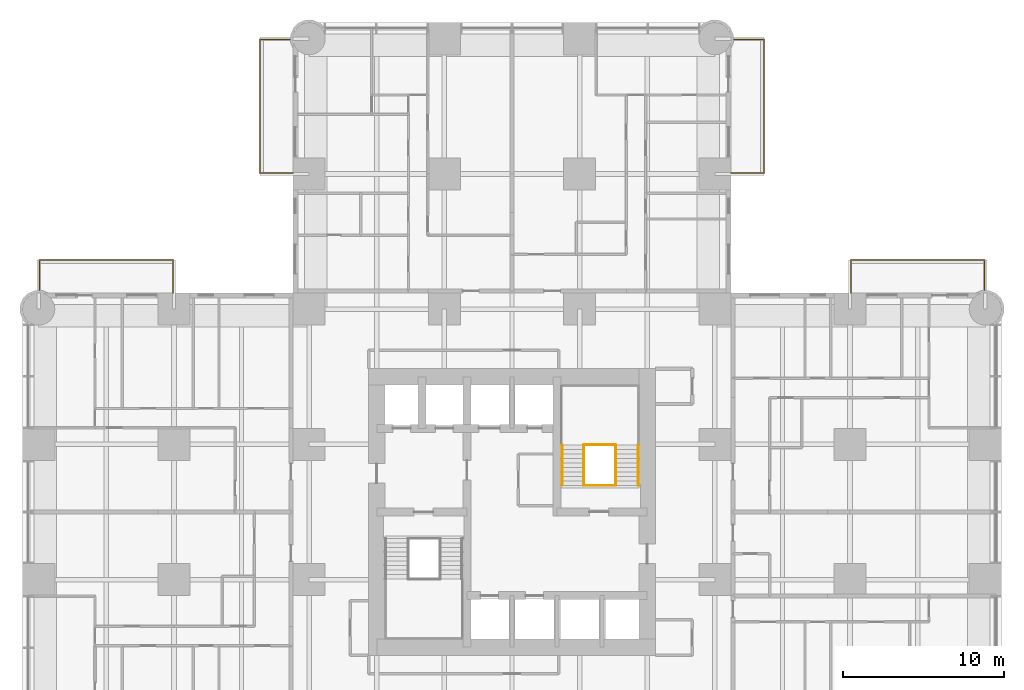
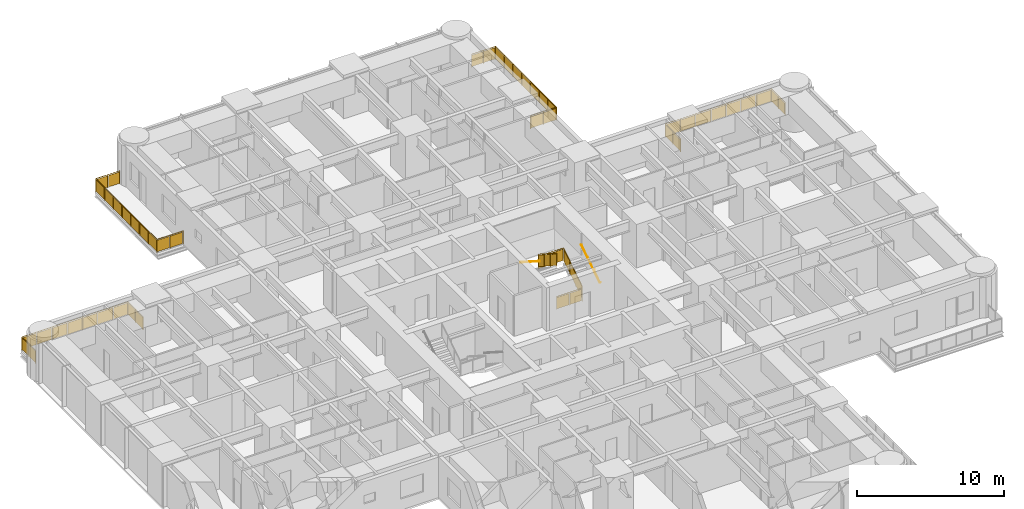
# One storey, part 17 of 17: 10 railings.
"""IFC4 building model written with IfcOpenShell, lengths in metres."""

from ifc_helpers import new_model, si_unit, direction, frame, origin, origin_2d, place, context, subcontext, project, spatial, polyline, circle, outline, extrude, material, constituent, constituent_set, type_object, element, save


model = new_model("IFC4")

# Units and contexts
model_context = context("Model", 3, precision=1e-05, world=origin(), true_north=direction((0.0, 1.0)))
body_context = subcontext(model_context, "Body", "Model", "MODEL_VIEW")
ifc_project = project(units=[si_unit("LENGTHUNIT", "METRE"), si_unit("AREAUNIT", "SQUARE_METRE"), si_unit("VOLUMEUNIT", "CUBIC_METRE"), si_unit("PLANEANGLEUNIT", "RADIAN"), si_unit("MASSUNIT", "GRAM", prefix="KILO")], contexts=[model_context])

# Site, building, storey
site_placement = place(None, origin())
site = spatial("IfcSite", under=ifc_project, at=site_placement, CompositionType="ELEMENT")
building_placement = place(site_placement, origin())
building = spatial("IfcBuilding", under=site, at=building_placement, Name="Torre Alcanfor", CompositionType="ELEMENT")
storey_placement = place(building_placement, frame((0.0, 0.0, 99.300048828125)))
storey = spatial("IfcBuildingStorey", under=building, at=storey_placement, Name="L25", CompositionType="ELEMENT", Elevation=99.300048828125)

# Railings
ifc_material_1 = material(Name="Laminated safety glass", Category="glass")
ifc_constituent_1 = constituent(ifc_material_1, Name="Infill")
ifc_material_2 = material(Name="Stainless steel ASTM A554 Grade MT 316L tube", Category="steel")
ifc_constituent_2 = constituent(ifc_material_2, Name="Posts and rail")
ifc_constituent_set = constituent_set(constituents=[ifc_constituent_1, ifc_constituent_2], Name="Balcony guard glass 1100")
railing_type_1 = type_object("IfcRailingType", Name="Balcony guard glass 1100", PredefinedType="BALUSTRADE", material=ifc_constituent_set)
railing_1_placement = place(storey_placement, frame((15.800048828125, 50.449951171875, 0.0)))
element("IfcRailing", 1, at=railing_1_placement, inside=storey, type_object=railing_type_1, Name="Balcony guard L25-N1", PredefinedType="BALUSTRADE", context=body_context, shape_type="SweptSolid", body=[
    extrude(circle(Radius=0.02392578125, at=origin_2d()), frame((0.0, 0.0, 1.076171875), z_axis=(-1.0, 0.0, 0.0), x_axis=(0.0, -1.0, 0.0)), (0.0, 0.0, 1.0), 2.050048828125),
    extrude(circle(Radius=0.02392578125, at=origin_2d()), frame((-2.050048828125, 0.0, 1.076171875), z_axis=(0.0, 1.0, 0.0), x_axis=(-1.0, 0.0, 0.0)), (0.0, 0.0, 1.0), 8.300048828125),
    extrude(circle(Radius=0.02392578125, at=origin_2d()), frame((-2.050048828125, 8.300048828125, 1.076171875), z_axis=(1.0, 0.0, 0.0), x_axis=(0.0, 1.0, 0.0)), (0.0, 0.0, 1.0), 1.868896484375),
    extrude(circle(Radius=0.02099609375, at=origin_2d()), origin(), (0.0, 0.0, 1.0), 1.052001953125),
    extrude(circle(Radius=0.02099609375, at=origin_2d()), frame((-1.02490234375, 0.0, 0.0)), (0.0, 0.0, 1.0), 1.052001953125),
    extrude(circle(Radius=0.02099609375, at=origin_2d()), frame((-2.050048828125, 0.0, 0.0)), (0.0, 0.0, 1.0), 1.052001953125),
    extrude(circle(Radius=0.02099609375, at=origin_2d()), frame((-2.050048828125, 1.185791015625, 0.0)), (0.0, 0.0, 1.0), 1.052001953125),
    extrude(circle(Radius=0.02099609375, at=origin_2d()), frame((-2.050048828125, 2.371337890625, 0.0)), (0.0, 0.0, 1.0), 1.052001953125),
    extrude(circle(Radius=0.02099609375, at=origin_2d()), frame((-2.050048828125, 3.55712890625, 0.0)), (0.0, 0.0, 1.0), 1.052001953125),
    extrude(circle(Radius=0.02099609375, at=origin_2d()), frame((-2.050048828125, 4.742919921875, 0.0)), (0.0, 0.0, 1.0), 1.052001953125),
    extrude(circle(Radius=0.02099609375, at=origin_2d()), frame((-2.050048828125, 5.9287109375, 0.0)), (0.0, 0.0, 1.0), 1.052001953125),
    extrude(circle(Radius=0.02099609375, at=origin_2d()), frame((-2.050048828125, 7.1142578125, 0.0)), (0.0, 0.0, 1.0), 1.052001953125),
    extrude(circle(Radius=0.02099609375, at=origin_2d()), frame((-2.050048828125, 8.300048828125, 0.0)), (0.0, 0.0, 1.0), 1.052001953125),
    extrude(circle(Radius=0.02099609375, at=origin_2d()), frame((-1.11572265625, 8.300048828125, 0.0)), (0.0, 0.0, 1.0), 1.052001953125),
    extrude(circle(Radius=0.02099609375, at=origin_2d()), frame((-0.18115234375, 8.300048828125, 0.0)), (0.0, 0.0, 1.0), 1.052001953125),
    extrude(outline(polyline([(0.041015625, 0.050048828125), (0.984130859375, 0.050048828125), (0.984130859375, 1.001953125), (0.041015625, 1.001953125), (0.041015625, 0.050048828125)])), frame((0.0, -0.005859375, 0.0), z_axis=(0.0, 1.0, 0.0), x_axis=(-1.0, 0.0, 0.0)), (0.0, 0.0, 1.0), 0.011962890625),
    extrude(outline(polyline([(1.06591796875, 0.050048828125), (2.009033203125, 0.050048828125), (2.009033203125, 1.001953125), (1.06591796875, 1.001953125), (1.06591796875, 0.050048828125)])), frame((0.0, -0.005859375, 0.0), z_axis=(0.0, 1.0, 0.0), x_axis=(-1.0, 0.0, 0.0)), (0.0, 0.0, 1.0), 0.011962890625),
    extrude(outline(polyline([(0.041015625, 0.050048828125), (1.144775390625, 0.050048828125), (1.144775390625, 1.001953125), (0.041015625, 1.001953125), (0.041015625, 0.050048828125)])), frame((-2.05615234375, 0.0, 0.0), z_axis=(1.0, 0.0, 0.0), x_axis=(0.0, 1.0, 0.0)), (0.0, 0.0, 1.0), 0.011962890625),
    extrude(outline(polyline([(1.226806640625, 0.050048828125), (2.330322265625, 0.050048828125), (2.330322265625, 1.001953125), (1.226806640625, 1.001953125), (1.226806640625, 0.050048828125)])), frame((-2.05615234375, 0.0, 0.0), z_axis=(1.0, 0.0, 0.0), x_axis=(0.0, 1.0, 0.0)), (0.0, 0.0, 1.0), 0.011962890625),
    extrude(outline(polyline([(2.412353515625, 0.050048828125), (3.51611328125, 0.050048828125), (3.51611328125, 1.001953125), (2.412353515625, 1.001953125), (2.412353515625, 0.050048828125)])), frame((-2.05615234375, 0.0, 0.0), z_axis=(1.0, 0.0, 0.0), x_axis=(0.0, 1.0, 0.0)), (0.0, 0.0, 1.0), 0.011962890625),
    extrude(outline(polyline([(3.59814453125, 0.050048828125), (4.701904296875, 0.050048828125), (4.701904296875, 1.001953125), (3.59814453125, 1.001953125), (3.59814453125, 0.050048828125)])), frame((-2.05615234375, 0.0, 0.0), z_axis=(1.0, 0.0, 0.0), x_axis=(0.0, 1.0, 0.0)), (0.0, 0.0, 1.0), 0.011962890625),
    extrude(outline(polyline([(4.783935546875, 0.050048828125), (5.8876953125, 0.050048828125), (5.8876953125, 1.001953125), (4.783935546875, 1.001953125), (4.783935546875, 0.050048828125)])), frame((-2.05615234375, 0.0, 0.0), z_axis=(1.0, 0.0, 0.0), x_axis=(0.0, 1.0, 0.0)), (0.0, 0.0, 1.0), 0.011962890625),
    extrude(outline(polyline([(5.9697265625, 0.050048828125), (7.0732421875, 0.050048828125), (7.0732421875, 1.001953125), (5.9697265625, 1.001953125), (5.9697265625, 0.050048828125)])), frame((-2.05615234375, 0.0, 0.0), z_axis=(1.0, 0.0, 0.0), x_axis=(0.0, 1.0, 0.0)), (0.0, 0.0, 1.0), 0.011962890625),
    extrude(outline(polyline([(7.1552734375, 0.050048828125), (8.259033203125, 0.050048828125), (8.259033203125, 1.001953125), (7.1552734375, 1.001953125), (7.1552734375, 0.050048828125)])), frame((-2.05615234375, 0.0, 0.0), z_axis=(1.0, 0.0, 0.0), x_axis=(0.0, 1.0, 0.0)), (0.0, 0.0, 1.0), 0.011962890625),
    extrude(outline(polyline([(0.041015625, 0.050048828125), (0.8935546875, 0.050048828125), (0.8935546875, 1.001953125), (0.041015625, 1.001953125), (0.041015625, 0.050048828125)])), frame((-2.050048828125, 8.30615234375, 0.0), z_axis=(0.0, -1.0, 0.0), x_axis=(1.0, 0.0, 0.0)), (0.0, 0.0, 1.0), 0.011962890625),
    extrude(outline(polyline([(0.975341796875, 0.050048828125), (1.827880859375, 0.050048828125), (1.827880859375, 1.001953125), (0.975341796875, 1.001953125), (0.975341796875, 0.050048828125)])), frame((-2.050048828125, 8.30615234375, 0.0), z_axis=(0.0, -1.0, 0.0), x_axis=(1.0, 0.0, 0.0)), (0.0, 0.0, 1.0), 0.011962890625),
])
railing_2_placement = place(storey_placement, frame((43.0, 50.449951171875, 0.0)))
element("IfcRailing", 2, at=railing_2_placement, inside=storey, type_object=railing_type_1, Name="Balcony guard L25-N2", PredefinedType="BALUSTRADE", context=body_context, shape_type="SweptSolid", body=[
    extrude(circle(Radius=0.02392578125, at=origin_2d()), frame((0.0, 0.0, 1.076171875), z_axis=(1.0, 0.0, 0.0), x_axis=(0.0, 1.0, 0.0)), (0.0, 0.0, 1.0), 2.050048828125),
    extrude(circle(Radius=0.02392578125, at=origin_2d()), frame((2.050048828125, 0.0, 1.076171875), z_axis=(0.0, 1.0, 0.0), x_axis=(-1.0, 0.0, 0.0)), (0.0, 0.0, 1.0), 8.300048828125),
    extrude(circle(Radius=0.02392578125, at=origin_2d()), frame((2.050048828125, 8.300048828125, 1.076171875), z_axis=(-1.0, 0.0, 0.0), x_axis=(0.0, -1.0, 0.0)), (0.0, 0.0, 1.0), 1.869140625),
    extrude(circle(Radius=0.02099609375, at=origin_2d()), origin(), (0.0, 0.0, 1.0), 1.052001953125),
    extrude(circle(Radius=0.02099609375, at=origin_2d()), frame((1.02490234375, 0.0, 0.0)), (0.0, 0.0, 1.0), 1.052001953125),
    extrude(circle(Radius=0.02099609375, at=origin_2d()), frame((2.050048828125, 0.0, 0.0)), (0.0, 0.0, 1.0), 1.052001953125),
    extrude(circle(Radius=0.02099609375, at=origin_2d()), frame((2.050048828125, 1.185791015625, 0.0)), (0.0, 0.0, 1.0), 1.052001953125),
    extrude(circle(Radius=0.02099609375, at=origin_2d()), frame((2.050048828125, 2.371337890625, 0.0)), (0.0, 0.0, 1.0), 1.052001953125),
    extrude(circle(Radius=0.02099609375, at=origin_2d()), frame((2.050048828125, 3.55712890625, 0.0)), (0.0, 0.0, 1.0), 1.052001953125),
    extrude(circle(Radius=0.02099609375, at=origin_2d()), frame((2.050048828125, 4.742919921875, 0.0)), (0.0, 0.0, 1.0), 1.052001953125),
    extrude(circle(Radius=0.02099609375, at=origin_2d()), frame((2.050048828125, 5.9287109375, 0.0)), (0.0, 0.0, 1.0), 1.052001953125),
    extrude(circle(Radius=0.02099609375, at=origin_2d()), frame((2.050048828125, 7.1142578125, 0.0)), (0.0, 0.0, 1.0), 1.052001953125),
    extrude(circle(Radius=0.02099609375, at=origin_2d()), frame((2.050048828125, 8.300048828125, 0.0)), (0.0, 0.0, 1.0), 1.052001953125),
    extrude(circle(Radius=0.02099609375, at=origin_2d()), frame((1.115478515625, 8.300048828125, 0.0)), (0.0, 0.0, 1.0), 1.052001953125),
    extrude(circle(Radius=0.02099609375, at=origin_2d()), frame((0.180908203125, 8.300048828125, 0.0)), (0.0, 0.0, 1.0), 1.052001953125),
    extrude(outline(polyline([(0.041015625, 0.050048828125), (0.984130859375, 0.050048828125), (0.984130859375, 1.001953125), (0.041015625, 1.001953125), (0.041015625, 0.050048828125)])), frame((0.0, 0.005859375, 0.0), z_axis=(0.0, -1.0, 0.0), x_axis=(1.0, 0.0, 0.0)), (0.0, 0.0, 1.0), 0.011962890625),
    extrude(outline(polyline([(1.06591796875, 0.050048828125), (2.009033203125, 0.050048828125), (2.009033203125, 1.001953125), (1.06591796875, 1.001953125), (1.06591796875, 0.050048828125)])), frame((0.0, 0.005859375, 0.0), z_axis=(0.0, -1.0, 0.0), x_axis=(1.0, 0.0, 0.0)), (0.0, 0.0, 1.0), 0.011962890625),
    extrude(outline(polyline([(0.041015625, 0.050048828125), (1.144775390625, 0.050048828125), (1.144775390625, 1.001953125), (0.041015625, 1.001953125), (0.041015625, 0.050048828125)])), frame((2.0439453125, 0.0, 0.0), z_axis=(1.0, 0.0, 0.0), x_axis=(0.0, 1.0, 0.0)), (0.0, 0.0, 1.0), 0.011962890625),
    extrude(outline(polyline([(1.226806640625, 0.050048828125), (2.330322265625, 0.050048828125), (2.330322265625, 1.001953125), (1.226806640625, 1.001953125), (1.226806640625, 0.050048828125)])), frame((2.0439453125, 0.0, 0.0), z_axis=(1.0, 0.0, 0.0), x_axis=(0.0, 1.0, 0.0)), (0.0, 0.0, 1.0), 0.011962890625),
    extrude(outline(polyline([(2.412353515625, 0.050048828125), (3.51611328125, 0.050048828125), (3.51611328125, 1.001953125), (2.412353515625, 1.001953125), (2.412353515625, 0.050048828125)])), frame((2.0439453125, 0.0, 0.0), z_axis=(1.0, 0.0, 0.0), x_axis=(0.0, 1.0, 0.0)), (0.0, 0.0, 1.0), 0.011962890625),
    extrude(outline(polyline([(3.59814453125, 0.050048828125), (4.701904296875, 0.050048828125), (4.701904296875, 1.001953125), (3.59814453125, 1.001953125), (3.59814453125, 0.050048828125)])), frame((2.0439453125, 0.0, 0.0), z_axis=(1.0, 0.0, 0.0), x_axis=(0.0, 1.0, 0.0)), (0.0, 0.0, 1.0), 0.011962890625),
    extrude(outline(polyline([(4.783935546875, 0.050048828125), (5.8876953125, 0.050048828125), (5.8876953125, 1.001953125), (4.783935546875, 1.001953125), (4.783935546875, 0.050048828125)])), frame((2.0439453125, 0.0, 0.0), z_axis=(1.0, 0.0, 0.0), x_axis=(0.0, 1.0, 0.0)), (0.0, 0.0, 1.0), 0.011962890625),
    extrude(outline(polyline([(5.9697265625, 0.050048828125), (7.0732421875, 0.050048828125), (7.0732421875, 1.001953125), (5.9697265625, 1.001953125), (5.9697265625, 0.050048828125)])), frame((2.0439453125, 0.0, 0.0), z_axis=(1.0, 0.0, 0.0), x_axis=(0.0, 1.0, 0.0)), (0.0, 0.0, 1.0), 0.011962890625),
    extrude(outline(polyline([(7.1552734375, 0.050048828125), (8.259033203125, 0.050048828125), (8.259033203125, 1.001953125), (7.1552734375, 1.001953125), (7.1552734375, 0.050048828125)])), frame((2.0439453125, 0.0, 0.0), z_axis=(1.0, 0.0, 0.0), x_axis=(0.0, 1.0, 0.0)), (0.0, 0.0, 1.0), 0.011962890625),
    extrude(outline(polyline([(0.041015625, 0.050048828125), (0.8935546875, 0.050048828125), (0.8935546875, 1.001953125), (0.041015625, 1.001953125), (0.041015625, 0.050048828125)])), frame((2.050048828125, 8.2939453125, 0.0), z_axis=(0.0, 1.0, 0.0), x_axis=(-1.0, 0.0, 0.0)), (0.0, 0.0, 1.0), 0.011962890625),
    extrude(outline(polyline([(0.9755859375, 0.050048828125), (1.828125, 0.050048828125), (1.828125, 1.001953125), (0.9755859375, 1.001953125), (0.9755859375, 0.050048828125)])), frame((2.050048828125, 8.2939453125, 0.0), z_axis=(0.0, 1.0, 0.0), x_axis=(-1.0, 0.0, 0.0)), (0.0, 0.0, 1.0), 0.011962890625),
])
railing_3_placement = place(storey_placement, frame((50.449951171875, 43.0, 0.0)))
element("IfcRailing", 3, at=railing_3_placement, inside=storey, type_object=railing_type_1, Name="Balcony guard L25-E1", PredefinedType="BALUSTRADE", context=body_context, shape_type="SweptSolid", body=[
    extrude(circle(Radius=0.02392578125, at=origin_2d()), frame((0.0, 0.0, 1.076171875), z_axis=(0.0, 1.0, 0.0), x_axis=(-1.0, 0.0, 0.0)), (0.0, 0.0, 1.0), 2.050048828125),
    extrude(circle(Radius=0.02392578125, at=origin_2d()), frame((0.0, 2.050048828125, 1.076171875), z_axis=(1.0, 0.0, 0.0), x_axis=(0.0, 1.0, 0.0)), (0.0, 0.0, 1.0), 8.300048828125),
    extrude(circle(Radius=0.02392578125, at=origin_2d()), frame((8.300048828125, 2.050048828125, 1.076171875), z_axis=(0.0, -1.0, 0.0), x_axis=(1.0, 0.0, 0.0)), (0.0, 0.0, 1.0), 1.869140625),
    extrude(circle(Radius=0.02099609375, at=origin_2d()), origin(), (0.0, 0.0, 1.0), 1.052001953125),
    extrude(circle(Radius=0.02099609375, at=origin_2d()), frame((0.0, 1.02490234375, 0.0)), (0.0, 0.0, 1.0), 1.052001953125),
    extrude(circle(Radius=0.02099609375, at=origin_2d()), frame((0.0, 2.050048828125, 0.0)), (0.0, 0.0, 1.0), 1.052001953125),
    extrude(circle(Radius=0.02099609375, at=origin_2d()), frame((1.185791015625, 2.050048828125, 0.0)), (0.0, 0.0, 1.0), 1.052001953125),
    extrude(circle(Radius=0.02099609375, at=origin_2d()), frame((2.371337890625, 2.050048828125, 0.0)), (0.0, 0.0, 1.0), 1.052001953125),
    extrude(circle(Radius=0.02099609375, at=origin_2d()), frame((3.55712890625, 2.050048828125, 0.0)), (0.0, 0.0, 1.0), 1.052001953125),
    extrude(circle(Radius=0.02099609375, at=origin_2d()), frame((4.742919921875, 2.050048828125, 0.0)), (0.0, 0.0, 1.0), 1.052001953125),
    extrude(circle(Radius=0.02099609375, at=origin_2d()), frame((5.9287109375, 2.050048828125, 0.0)), (0.0, 0.0, 1.0), 1.052001953125),
    extrude(circle(Radius=0.02099609375, at=origin_2d()), frame((7.1142578125, 2.050048828125, 0.0)), (0.0, 0.0, 1.0), 1.052001953125),
    extrude(circle(Radius=0.02099609375, at=origin_2d()), frame((8.300048828125, 2.050048828125, 0.0)), (0.0, 0.0, 1.0), 1.052001953125),
    extrude(circle(Radius=0.02099609375, at=origin_2d()), frame((8.300048828125, 1.115478515625, 0.0)), (0.0, 0.0, 1.0), 1.052001953125),
    extrude(circle(Radius=0.02099609375, at=origin_2d()), frame((8.300048828125, 0.180908203125, 0.0)), (0.0, 0.0, 1.0), 1.052001953125),
    extrude(outline(polyline([(0.041015625, 0.050048828125), (0.984130859375, 0.050048828125), (0.984130859375, 1.001953125), (0.041015625, 1.001953125), (0.041015625, 0.050048828125)])), frame((-0.005859375, 0.0, 0.0), z_axis=(1.0, 0.0, 0.0), x_axis=(0.0, 1.0, 0.0)), (0.0, 0.0, 1.0), 0.011962890625),
    extrude(outline(polyline([(1.06591796875, 0.050048828125), (2.009033203125, 0.050048828125), (2.009033203125, 1.001953125), (1.06591796875, 1.001953125), (1.06591796875, 0.050048828125)])), frame((-0.005859375, 0.0, 0.0), z_axis=(1.0, 0.0, 0.0), x_axis=(0.0, 1.0, 0.0)), (0.0, 0.0, 1.0), 0.011962890625),
    extrude(outline(polyline([(0.041015625, 0.050048828125), (1.144775390625, 0.050048828125), (1.144775390625, 1.001953125), (0.041015625, 1.001953125), (0.041015625, 0.050048828125)])), frame((0.0, 2.05615234375, 0.0), z_axis=(0.0, -1.0, 0.0), x_axis=(1.0, 0.0, 0.0)), (0.0, 0.0, 1.0), 0.011962890625),
    extrude(outline(polyline([(1.226806640625, 0.050048828125), (2.330322265625, 0.050048828125), (2.330322265625, 1.001953125), (1.226806640625, 1.001953125), (1.226806640625, 0.050048828125)])), frame((0.0, 2.05615234375, 0.0), z_axis=(0.0, -1.0, 0.0), x_axis=(1.0, 0.0, 0.0)), (0.0, 0.0, 1.0), 0.011962890625),
    extrude(outline(polyline([(2.412353515625, 0.050048828125), (3.51611328125, 0.050048828125), (3.51611328125, 1.001953125), (2.412353515625, 1.001953125), (2.412353515625, 0.050048828125)])), frame((0.0, 2.05615234375, 0.0), z_axis=(0.0, -1.0, 0.0), x_axis=(1.0, 0.0, 0.0)), (0.0, 0.0, 1.0), 0.011962890625),
    extrude(outline(polyline([(3.59814453125, 0.050048828125), (4.701904296875, 0.050048828125), (4.701904296875, 1.001953125), (3.59814453125, 1.001953125), (3.59814453125, 0.050048828125)])), frame((0.0, 2.05615234375, 0.0), z_axis=(0.0, -1.0, 0.0), x_axis=(1.0, 0.0, 0.0)), (0.0, 0.0, 1.0), 0.011962890625),
    extrude(outline(polyline([(4.783935546875, 0.050048828125), (5.8876953125, 0.050048828125), (5.8876953125, 1.001953125), (4.783935546875, 1.001953125), (4.783935546875, 0.050048828125)])), frame((0.0, 2.05615234375, 0.0), z_axis=(0.0, -1.0, 0.0), x_axis=(1.0, 0.0, 0.0)), (0.0, 0.0, 1.0), 0.011962890625),
    extrude(outline(polyline([(5.9697265625, 0.050048828125), (7.0732421875, 0.050048828125), (7.0732421875, 1.001953125), (5.9697265625, 1.001953125), (5.9697265625, 0.050048828125)])), frame((0.0, 2.05615234375, 0.0), z_axis=(0.0, -1.0, 0.0), x_axis=(1.0, 0.0, 0.0)), (0.0, 0.0, 1.0), 0.011962890625),
    extrude(outline(polyline([(7.1552734375, 0.050048828125), (8.259033203125, 0.050048828125), (8.259033203125, 1.001953125), (7.1552734375, 1.001953125), (7.1552734375, 0.050048828125)])), frame((0.0, 2.05615234375, 0.0), z_axis=(0.0, -1.0, 0.0), x_axis=(1.0, 0.0, 0.0)), (0.0, 0.0, 1.0), 0.011962890625),
    extrude(outline(polyline([(0.041015625, 0.050048828125), (0.8935546875, 0.050048828125), (0.8935546875, 1.001953125), (0.041015625, 1.001953125), (0.041015625, 0.050048828125)])), frame((8.30615234375, 2.050048828125, 0.0), z_axis=(-1.0, 0.0, 0.0), x_axis=(0.0, -1.0, 0.0)), (0.0, 0.0, 1.0), 0.011962890625),
    extrude(outline(polyline([(0.9755859375, 0.050048828125), (1.828125, 0.050048828125), (1.828125, 1.001953125), (0.9755859375, 1.001953125), (0.9755859375, 0.050048828125)])), frame((8.30615234375, 2.050048828125, 0.0), z_axis=(-1.0, 0.0, 0.0), x_axis=(0.0, -1.0, 0.0)), (0.0, 0.0, 1.0), 0.011962890625),
])
railing_4_placement = place(storey_placement, frame((8.35009765625, 43.0, 0.0)))
element("IfcRailing", 4, at=railing_4_placement, inside=storey, type_object=railing_type_1, Name="Balcony guard L25-W2", PredefinedType="BALUSTRADE", context=body_context, shape_type="SweptSolid", body=[
    extrude(circle(Radius=0.02392578125, at=origin_2d()), frame((0.0, 0.0, 1.076171875), z_axis=(0.0, 1.0, 0.0), x_axis=(-1.0, 0.0, 0.0)), (0.0, 0.0, 1.0), 2.050048828125),
    extrude(circle(Radius=0.02392578125, at=origin_2d()), frame((0.0, 2.050048828125, 1.076171875), z_axis=(-1.0, 0.0, 0.0), x_axis=(0.0, -1.0, 0.0)), (0.0, 0.0, 1.0), 8.300048828125),
    extrude(circle(Radius=0.02392578125, at=origin_2d()), frame((-8.300048828125, 2.050048828125, 1.076171875), z_axis=(0.0, -1.0, 0.0), x_axis=(1.0, 0.0, 0.0)), (0.0, 0.0, 1.0), 1.869140625),
    extrude(circle(Radius=0.02099609375, at=origin_2d()), origin(), (0.0, 0.0, 1.0), 1.052001953125),
    extrude(circle(Radius=0.02099609375, at=origin_2d()), frame((0.0, 1.02490234375, 0.0)), (0.0, 0.0, 1.0), 1.052001953125),
    extrude(circle(Radius=0.02099609375, at=origin_2d()), frame((0.0, 2.050048828125, 0.0)), (0.0, 0.0, 1.0), 1.052001953125),
    extrude(circle(Radius=0.02099609375, at=origin_2d()), frame((-1.185791015625, 2.050048828125, 0.0)), (0.0, 0.0, 1.0), 1.052001953125),
    extrude(circle(Radius=0.02099609375, at=origin_2d()), frame((-2.371337890625, 2.050048828125, 0.0)), (0.0, 0.0, 1.0), 1.052001953125),
    extrude(circle(Radius=0.02099609375, at=origin_2d()), frame((-3.55712890625, 2.050048828125, 0.0)), (0.0, 0.0, 1.0), 1.052001953125),
    extrude(circle(Radius=0.02099609375, at=origin_2d()), frame((-4.742919921875, 2.050048828125, 0.0)), (0.0, 0.0, 1.0), 1.052001953125),
    extrude(circle(Radius=0.02099609375, at=origin_2d()), frame((-5.9287109375, 2.050048828125, 0.0)), (0.0, 0.0, 1.0), 1.052001953125),
    extrude(circle(Radius=0.02099609375, at=origin_2d()), frame((-7.1142578125, 2.050048828125, 0.0)), (0.0, 0.0, 1.0), 1.052001953125),
    extrude(circle(Radius=0.02099609375, at=origin_2d()), frame((-8.300048828125, 2.050048828125, 0.0)), (0.0, 0.0, 1.0), 1.052001953125),
    extrude(circle(Radius=0.02099609375, at=origin_2d()), frame((-8.300048828125, 1.115478515625, 0.0)), (0.0, 0.0, 1.0), 1.052001953125),
    extrude(circle(Radius=0.02099609375, at=origin_2d()), frame((-8.300048828125, 0.180908203125, 0.0)), (0.0, 0.0, 1.0), 1.052001953125),
    extrude(outline(polyline([(0.041015625, 0.050048828125), (0.984130859375, 0.050048828125), (0.984130859375, 1.001953125), (0.041015625, 1.001953125), (0.041015625, 0.050048828125)])), frame((-0.005859375, 0.0, 0.0), z_axis=(1.0, 0.0, 0.0), x_axis=(0.0, 1.0, 0.0)), (0.0, 0.0, 1.0), 0.011962890625),
    extrude(outline(polyline([(1.06591796875, 0.050048828125), (2.009033203125, 0.050048828125), (2.009033203125, 1.001953125), (1.06591796875, 1.001953125), (1.06591796875, 0.050048828125)])), frame((-0.005859375, 0.0, 0.0), z_axis=(1.0, 0.0, 0.0), x_axis=(0.0, 1.0, 0.0)), (0.0, 0.0, 1.0), 0.011962890625),
    extrude(outline(polyline([(0.041015625, 0.050048828125), (1.144775390625, 0.050048828125), (1.144775390625, 1.001953125), (0.041015625, 1.001953125), (0.041015625, 0.050048828125)])), frame((0.0, 2.0439453125, 0.0), z_axis=(0.0, 1.0, 0.0), x_axis=(-1.0, 0.0, 0.0)), (0.0, 0.0, 1.0), 0.011962890625),
    extrude(outline(polyline([(1.226806640625, 0.050048828125), (2.330322265625, 0.050048828125), (2.330322265625, 1.001953125), (1.226806640625, 1.001953125), (1.226806640625, 0.050048828125)])), frame((0.0, 2.0439453125, 0.0), z_axis=(0.0, 1.0, 0.0), x_axis=(-1.0, 0.0, 0.0)), (0.0, 0.0, 1.0), 0.011962890625),
    extrude(outline(polyline([(2.412353515625, 0.050048828125), (3.51611328125, 0.050048828125), (3.51611328125, 1.001953125), (2.412353515625, 1.001953125), (2.412353515625, 0.050048828125)])), frame((0.0, 2.0439453125, 0.0), z_axis=(0.0, 1.0, 0.0), x_axis=(-1.0, 0.0, 0.0)), (0.0, 0.0, 1.0), 0.011962890625),
    extrude(outline(polyline([(3.59814453125, 0.050048828125), (4.701904296875, 0.050048828125), (4.701904296875, 1.001953125), (3.59814453125, 1.001953125), (3.59814453125, 0.050048828125)])), frame((0.0, 2.0439453125, 0.0), z_axis=(0.0, 1.0, 0.0), x_axis=(-1.0, 0.0, 0.0)), (0.0, 0.0, 1.0), 0.011962890625),
    extrude(outline(polyline([(4.783935546875, 0.050048828125), (5.8876953125, 0.050048828125), (5.8876953125, 1.001953125), (4.783935546875, 1.001953125), (4.783935546875, 0.050048828125)])), frame((0.0, 2.0439453125, 0.0), z_axis=(0.0, 1.0, 0.0), x_axis=(-1.0, 0.0, 0.0)), (0.0, 0.0, 1.0), 0.011962890625),
    extrude(outline(polyline([(5.9697265625, 0.050048828125), (7.0732421875, 0.050048828125), (7.0732421875, 1.001953125), (5.9697265625, 1.001953125), (5.9697265625, 0.050048828125)])), frame((0.0, 2.0439453125, 0.0), z_axis=(0.0, 1.0, 0.0), x_axis=(-1.0, 0.0, 0.0)), (0.0, 0.0, 1.0), 0.011962890625),
    extrude(outline(polyline([(7.1552734375, 0.050048828125), (8.259033203125, 0.050048828125), (8.259033203125, 1.001953125), (7.1552734375, 1.001953125), (7.1552734375, 0.050048828125)])), frame((0.0, 2.0439453125, 0.0), z_axis=(0.0, 1.0, 0.0), x_axis=(-1.0, 0.0, 0.0)), (0.0, 0.0, 1.0), 0.011962890625),
    extrude(outline(polyline([(0.041015625, 0.050048828125), (0.8935546875, 0.050048828125), (0.8935546875, 1.001953125), (0.041015625, 1.001953125), (0.041015625, 0.050048828125)])), frame((-8.2939453125, 2.050048828125, 0.0), z_axis=(-1.0, 0.0, 0.0), x_axis=(0.0, -1.0, 0.0)), (0.0, 0.0, 1.0), 0.011962890625),
    extrude(outline(polyline([(0.9755859375, 0.050048828125), (1.828125, 0.050048828125), (1.828125, 1.001953125), (0.9755859375, 1.001953125), (0.9755859375, 0.050048828125)])), frame((-8.2939453125, 2.050048828125, 0.0), z_axis=(-1.0, 0.0, 0.0), x_axis=(0.0, -1.0, 0.0)), (0.0, 0.0, 1.0), 0.011962890625),
])
ifc_material_3 = material(Name="Steel ASTM A500 Grade C hollow sections", Category="steel")
railing_type_2 = type_object("IfcRailingType", Name="Stair guard and handrail 1100", PredefinedType="GUARDRAIL", material=ifc_material_3)
railing_5_placement = place(storey_placement, frame((35.85009765625, 31.050048828125, 0.179931640625)))
element("IfcRailing", 5, at=railing_5_placement, inside=storey, type_object=railing_type_2, Name="Stair guard S2 L25 flight 1", PredefinedType="GUARDRAIL", context=body_context, shape_type="SweptSolid", body=[
    extrude(circle(Radius=0.02392578125, at=origin_2d()), frame((0.0, 0.0, 1.076171875), z_axis=(0.0, 0.841162588446, 0.540782303519), x_axis=(-1.0, 0.0, 0.0)), (0.0, 0.0, 1.0), 2.995849609375),
    extrude(circle(Radius=0.02099609375, at=origin_2d()), origin(), (0.0, 0.0, 1.0), 1.052001953125),
    extrude(circle(Radius=0.02099609375, at=origin_2d()), frame((0.0, 0.840087890625, 0.5400390625)), (0.0, 0.0, 1.0), 1.052001953125),
    extrude(circle(Radius=0.02099609375, at=origin_2d()), frame((0.0, 1.679931640625, 1.080078125)), (0.0, 0.0, 1.0), 1.052001953125),
    extrude(circle(Radius=0.02099609375, at=origin_2d()), frame((0.0, 2.52001953125, 1.6201171875)), (0.0, 0.0, 1.0), 1.052001953125),
    extrude(outline(polyline([(0.041015625, 0.076416015625), (0.799072265625, 0.563720703125), (0.799072265625, 1.515625), (0.041015625, 1.0283203125), (0.041015625, 0.076416015625)])), frame((-0.005859375, 0.0, 0.0), z_axis=(1.0, 0.0, 0.0), x_axis=(0.0, 1.0, 0.0)), (0.0, 0.0, 1.0), 0.011962890625),
    extrude(outline(polyline([(0.881103515625, 0.616455078125), (1.638916015625, 1.103759765625), (1.638916015625, 2.0556640625), (0.881103515625, 1.568359375), (0.881103515625, 0.616455078125)])), frame((-0.005859375, 0.0, 0.0), z_axis=(1.0, 0.0, 0.0), x_axis=(0.0, 1.0, 0.0)), (0.0, 0.0, 1.0), 0.011962890625),
    extrude(outline(polyline([(1.720947265625, 1.156494140625), (2.47900390625, 1.643798828125), (2.47900390625, 2.595703125), (1.720947265625, 2.1083984375), (1.720947265625, 1.156494140625)])), frame((-0.005859375, 0.0, 0.0), z_axis=(1.0, 0.0, 0.0), x_axis=(0.0, 1.0, 0.0)), (0.0, 0.0, 1.0), 0.011962890625),
])
railing_6_placement = place(storey_placement, frame((33.85009765625, 33.570068359375, 1.97998046875)))
element("IfcRailing", 6, at=railing_6_placement, inside=storey, type_object=railing_type_2, Name="Stair guard S2 L25 flight 2", PredefinedType="GUARDRAIL", context=body_context, shape_type="SweptSolid", body=[
    extrude(circle(Radius=0.02392578125, at=origin_2d()), frame((0.0, 0.0, 1.076171875), z_axis=(0.0, -0.841199657755, 0.540724639528), x_axis=(1.0, 0.0, 0.0)), (0.0, 0.0, 1.0), 2.995849609375),
    extrude(circle(Radius=0.02099609375, at=origin_2d()), origin(), (0.0, 0.0, 1.0), 1.052001953125),
    extrude(circle(Radius=0.02099609375, at=origin_2d()), frame((0.0, -0.840087890625, 0.5400390625)), (0.0, 0.0, 1.0), 1.052001953125),
    extrude(circle(Radius=0.02099609375, at=origin_2d()), frame((0.0, -1.679931640625, 1.079833984375)), (0.0, 0.0, 1.0), 1.052001953125),
    extrude(circle(Radius=0.02099609375, at=origin_2d()), frame((0.0, -2.52001953125, 1.619873046875)), (0.0, 0.0, 1.0), 1.052001953125),
    extrude(outline(polyline([(0.041015625, 0.076416015625), (0.799072265625, 0.563720703125), (0.799072265625, 1.515625), (0.041015625, 1.0283203125), (0.041015625, 0.076416015625)])), frame((0.005859375, 0.0, 0.0), z_axis=(-1.0, 0.0, 0.0), x_axis=(0.0, -1.0, 0.0)), (0.0, 0.0, 1.0), 0.011962890625),
    extrude(outline(polyline([(0.881103515625, 0.6162109375), (1.638916015625, 1.103515625), (1.638916015625, 2.0556640625), (0.881103515625, 1.568359375), (0.881103515625, 0.6162109375)])), frame((0.005859375, 0.0, 0.0), z_axis=(-1.0, 0.0, 0.0), x_axis=(0.0, -1.0, 0.0)), (0.0, 0.0, 1.0), 0.011962890625),
    extrude(outline(polyline([(1.720947265625, 1.15625), (2.47900390625, 1.6435546875), (2.47900390625, 2.595458984375), (1.720947265625, 2.108154296875), (1.720947265625, 1.15625)])), frame((0.005859375, 0.0, 0.0), z_axis=(-1.0, 0.0, 0.0), x_axis=(0.0, -1.0, 0.0)), (0.0, 0.0, 1.0), 0.011962890625),
])
for number, where, name in (
    (7, (33.85009765625, 31.050048828125, 0.0), "Stair well guard S2 L25 floor landing"),
    (8, (33.85009765625, 33.570068359375, 1.800048828125), "Stair well guard S2 L25 half landing"),
):
    element("IfcRailing", number, at=place(storey_placement, frame(where)), inside=storey, type_object=railing_type_2, Name=name, PredefinedType="GUARDRAIL", context=body_context, shape_type="SweptSolid", body=[
        extrude(circle(Radius=0.02392578125, at=origin_2d()), frame((0.0, 0.0, 1.076171875), z_axis=(1.0, 0.0, 0.0), x_axis=(0.0, 1.0, 0.0)), (0.0, 0.0, 1.0), 2.0),
        extrude(circle(Radius=0.02099609375, at=origin_2d()), origin(), (0.0, 0.0, 1.0), 1.052001953125),
        extrude(circle(Radius=0.02099609375, at=origin_2d()), frame((1.0, 0.0, 0.0)), (0.0, 0.0, 1.0), 1.052001953125),
        extrude(circle(Radius=0.02099609375, at=origin_2d()), frame((2.0, 0.0, 0.0)), (0.0, 0.0, 1.0), 1.052001953125),
        extrude(outline(polyline([(0.041015625, 0.050048828125), (0.958984375, 0.050048828125), (0.958984375, 1.001953125), (0.041015625, 1.001953125), (0.041015625, 0.050048828125)])), frame((0.0, 0.005859375, 0.0), z_axis=(0.0, -1.0, 0.0), x_axis=(1.0, 0.0, 0.0)), (0.0, 0.0, 1.0), 0.011962890625),
        extrude(outline(polyline([(1.041015625, 0.050048828125), (1.958984375, 0.050048828125), (1.958984375, 1.001953125), (1.041015625, 1.001953125), (1.041015625, 0.050048828125)])), frame((0.0, 0.005859375, 0.0), z_axis=(0.0, -1.0, 0.0), x_axis=(1.0, 0.0, 0.0)), (0.0, 0.0, 1.0), 0.011962890625),
    ])
ifc_material_4 = material(Name="Steel ASTM A500 Grade C hollow sections", Category="steel")
railing_type_3 = type_object("IfcRailingType", Name="Stair wall handrail 900", PredefinedType="HANDRAIL", material=ifc_material_4)
railing_7_placement = place(storey_placement, frame((37.235107421875, 31.050048828125, 0.179931640625)))
element("IfcRailing", 9, at=railing_7_placement, inside=storey, type_object=railing_type_3, Name="Stair handrail S2 L25 flight 1", PredefinedType="HANDRAIL", context=body_context, shape_type="SweptSolid", body=[
    extrude(circle(Radius=0.02392578125, at=origin_2d()), frame((0.0, 0.0, 0.8759765625), z_axis=(0.0, 0.841162588446, 0.540782303519), x_axis=(-1.0, 0.0, 0.0)), (0.0, 0.0, 1.0), 2.995849609375),
    extrude(circle(Radius=0.008056640625, at=origin_2d()), frame((0.0, 0.0, 0.8759765625), z_axis=(1.0, 0.0, 0.0), x_axis=(0.0, 0.0, 1.0)), (0.0, 0.0, 1.0), 0.06494140625),
    extrude(circle(Radius=0.008056640625, at=origin_2d()), frame((0.0, 0.840087890625, 1.416015625), z_axis=(1.0, 0.0, 0.0), x_axis=(0.0, 0.0, 1.0)), (0.0, 0.0, 1.0), 0.06494140625),
    extrude(circle(Radius=0.008056640625, at=origin_2d()), frame((0.0, 1.679931640625, 1.9560546875), z_axis=(1.0, 0.0, 0.0), x_axis=(0.0, 0.0, 1.0)), (0.0, 0.0, 1.0), 0.06494140625),
    extrude(circle(Radius=0.008056640625, at=origin_2d()), frame((0.0, 2.52001953125, 2.49609375), z_axis=(1.0, 0.0, 0.0), x_axis=(0.0, 0.0, 1.0)), (0.0, 0.0, 1.0), 0.06494140625),
])
railing_8_placement = place(storey_placement, frame((32.514892578125, 33.570068359375, 1.97998046875)))
element("IfcRailing", 10, at=railing_8_placement, inside=storey, type_object=railing_type_3, Name="Stair handrail S2 L25 flight 2", PredefinedType="HANDRAIL", context=body_context, shape_type="SweptSolid", body=[
    extrude(circle(Radius=0.02392578125, at=origin_2d()), frame((0.0, 0.0, 0.8759765625), z_axis=(0.0, -0.841199657755, 0.540724639528), x_axis=(1.0, 0.0, 0.0)), (0.0, 0.0, 1.0), 2.995849609375),
    extrude(circle(Radius=0.008056640625, at=origin_2d()), frame((0.0, 0.0, 0.8759765625), z_axis=(-1.0, 0.0, 0.0), x_axis=(0.0, 0.0, 1.0)), (0.0, 0.0, 1.0), 0.06494140625),
    extrude(circle(Radius=0.008056640625, at=origin_2d()), frame((0.0, -0.840087890625, 1.415771484375), z_axis=(-1.0, 0.0, 0.0), x_axis=(0.0, 0.0, 1.0)), (0.0, 0.0, 1.0), 0.06494140625),
    extrude(circle(Radius=0.008056640625, at=origin_2d()), frame((0.0, -1.679931640625, 1.955810546875), z_axis=(-1.0, 0.0, 0.0), x_axis=(0.0, 0.0, 1.0)), (0.0, 0.0, 1.0), 0.06494140625),
    extrude(circle(Radius=0.008056640625, at=origin_2d()), frame((0.0, -2.52001953125, 2.49560546875), z_axis=(-1.0, 0.0, 0.0), x_axis=(0.0, 0.0, 1.0)), (0.0, 0.0, 1.0), 0.06494140625),
])

save(model, "model.ifc")
